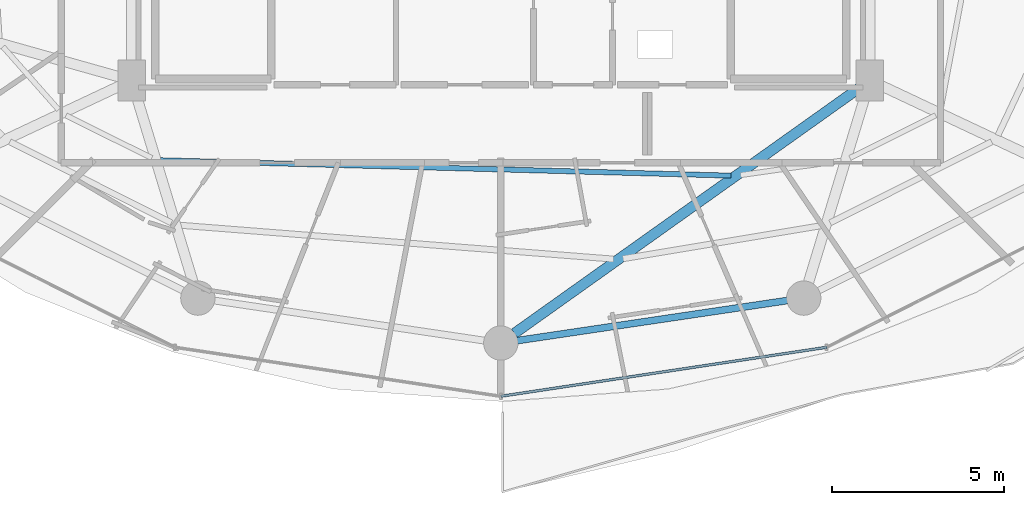
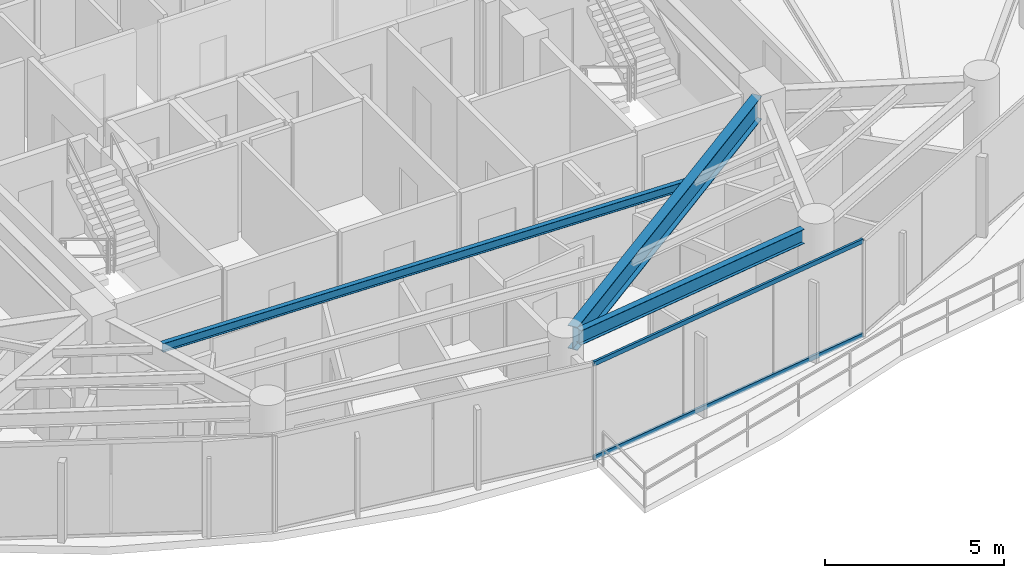
# One storey, part 7 of 31: 3 beams, 2 members, 1 element without a shape of its own.
"""IFC4 building model written with IfcOpenShell, lengths in metres."""

from ifc_helpers import new_model, si_unit, direction, frame, origin, origin_2d, place, context, subcontext, project, spatial, hollow_rectangle, i_section, extrude, material, material_profile, profile_set, type_object, element, aggregate, save


model = new_model("IFC4")

# Units and contexts
model_context = context("Model", 3, precision=1e-05, world=origin(), true_north=direction((0.0, 1.0)))
body_context = subcontext(model_context, "Body", "Model", "MODEL_VIEW")
ifc_project = project(units=[si_unit("LENGTHUNIT", "METRE"), si_unit("AREAUNIT", "SQUARE_METRE"), si_unit("VOLUMEUNIT", "CUBIC_METRE"), si_unit("PLANEANGLEUNIT", "RADIAN"), si_unit("MASSUNIT", "GRAM", prefix="KILO")], contexts=[model_context])

# Site, building, storey
site_placement = place(None, origin())
site = spatial("IfcSite", under=ifc_project, at=site_placement, CompositionType="ELEMENT")
building_placement = place(site_placement, origin())
building = spatial("IfcBuilding", under=site, at=building_placement, Name="Vorneva Point Tower", CompositionType="ELEMENT")
storey_placement = place(building_placement, frame((0.0, 0.0, 129.10009765625)))
storey = spatial("IfcBuildingStorey", under=building, at=storey_placement, Name="L34", CompositionType="ELEMENT", Elevation=129.10009765625)

# Beams
ifc_material_1 = material(Name="Steel S355", Category="steel")
ifc_material_profile_1 = material_profile(ifc_material_1, i_section(OverallWidth=0.300048828125, OverallDepth=0.7880859375, WebThickness=0.014404296875, FlangeThickness=0.02197265625, at=origin_2d()), Name="80Sh1")
ifc_profile_set_1 = profile_set([ifc_material_profile_1], Name="Steel S355")
beam_type_1 = type_object("IfcBeamType", Name="BM-GRD-80Sh1", PredefinedType="USERDEFINED", material=ifc_profile_set_1)
beam_1_placement = place(storey_placement, frame((38.397705078125, 9.0830078125, 2.845947265625), z_axis=(0.814751382529, 0.579810473057, 0.0), x_axis=(-0.579810473057, 0.814751382529, 0.0)))
element("IfcBeam", 1, at=beam_1_placement, inside=storey, type_object=beam_type_1, Name="L34 Radial Primary Girder 13", ObjectType="GIRDER", PredefinedType="USERDEFINED", context=body_context, shape_type="SweptSolid", body=[
    extrude(i_section(OverallWidth=0.300048828125, OverallDepth=0.7880859375, WebThickness=0.014404296875, FlangeThickness=0.02197265625, at=origin_2d()), origin(), (0.0, 0.0, 1.0), 12.365966796875),
])
ifc_material_profile_2 = material_profile(ifc_material_1, i_section(OverallWidth=0.14892578125, OverallDepth=0.298095703125, WebThickness=0.005615234375, FlangeThickness=0.008056640625, at=origin_2d()), Name="30B1")
ifc_profile_set_2 = profile_set([ifc_material_profile_2], Name="Steel S355")
beam_type_2 = type_object("IfcBeamType", Name="BM-JST-30B1", PredefinedType="JOIST", material=ifc_profile_set_2)
beam_2_placement = place(storey_placement, frame((28.0947265625, 14.12353515625, 3.0908203125), z_axis=(0.999636212652, -0.02697113929, 0.0), x_axis=(0.02697113929, 0.999636212652, 0.0)))
element("IfcBeam", 2, at=beam_2_placement, inside=storey, type_object=beam_type_2, Name="L34 Secondary Floor Beam 2.12", PredefinedType="JOIST", context=body_context, shape_type="SweptSolid", body=[
    extrude(i_section(OverallWidth=0.14892578125, OverallDepth=0.298095703125, WebThickness=0.005615234375, FlangeThickness=0.008056640625, at=origin_2d()), origin(), (0.0, 0.0, 1.0), 16.619384765625),
])
ifc_material_profile_3 = material_profile(ifc_material_1, i_section(OverallWidth=0.199951171875, OverallDepth=0.491943359375, WebThickness=0.0087890625, FlangeThickness=0.011962890625, at=origin_2d()), Name="50B1")
ifc_profile_set_3 = profile_set([ifc_material_profile_3], Name="Steel S355")
beam_type_3 = type_object("IfcBeamType", Name="BM-SPN-50B1", PredefinedType="SPANDREL", material=ifc_profile_set_3)
beam_3_placement = place(storey_placement, frame((38.479736328125, 8.87109375, 2.993896484375), z_axis=(0.989161199046, 0.146833655211, 0.0), x_axis=(-0.146833655211, 0.989161199046, 0.0)))
element("IfcBeam", 3, at=beam_3_placement, inside=storey, type_object=beam_type_3, Name="L34 Perimeter Spandrel Ring Beam 13", PredefinedType="SPANDREL", context=body_context, shape_type="SweptSolid", body=[
    extrude(i_section(OverallWidth=0.199951171875, OverallDepth=0.491943359375, WebThickness=0.0087890625, FlangeThickness=0.011962890625, at=origin_2d()), origin(), (0.0, 0.0, 1.0), 7.94775390625),
])

# Curtain wall, members
ifc_material_2 = material(Name="Pale anodised aluminium", Category="aluminium")
curtain_wall_type = type_object("IfcCurtainWallType", Name="CW-RES-SYS", PredefinedType="NOTDEFINED", material=ifc_material_2)
curtain_wall_placement = place(storey_placement, origin())
curtain_wall = element("IfcCurtainWall", 4, at=curtain_wall_placement, inside=storey, type_object=curtain_wall_type, Name="L34 Unitised Curtain Wall CW-L34-R04", PredefinedType="NOTDEFINED")
ifc_material_profile_4 = material_profile(ifc_material_2, hollow_rectangle(XDim=0.074951171875, YDim=0.14990234375, WallThickness=0.00390625, at=origin_2d()), Name="AL-TRN 150x75x4")
ifc_profile_set_4 = profile_set([ifc_material_profile_4], Name="Pale anodised aluminium")
member_type = type_object("IfcMemberType", Name="CW-TRN-150", PredefinedType="USERDEFINED", material=ifc_profile_set_4)
member_1_placement = place(storey_placement, frame((38.0, 7.25, 0.02001953125), z_axis=(0.988880117727, 0.148714870687, 0.0), x_axis=(-0.148714870687, 0.988880117727, 0.0)))
member_1 = element("IfcMember", 5, at=member_1_placement, type_object=member_type, Name="CW-L34-R04 Transom 03.1", ObjectType="TRANSOM", PredefinedType="USERDEFINED", context=body_context, shape_type="SweptSolid", body=[
    extrude(hollow_rectangle(XDim=0.074951171875, YDim=0.14990234375, WallThickness=0.00390625, at=origin_2d()), origin(), (0.0, 0.0, 1.0), 9.59716796875),
])
member_2_placement = place(storey_placement, frame((38.0, 7.25, 3.219970703125), z_axis=(0.988880117727, 0.148714870687, 0.0), x_axis=(-0.148714870687, 0.988880117727, 0.0)))
member_2 = element("IfcMember", 6, at=member_2_placement, type_object=member_type, Name="CW-L34-R04 Transom 03.2", ObjectType="TRANSOM", PredefinedType="USERDEFINED", context=body_context, shape_type="SweptSolid", body=[
    extrude(hollow_rectangle(XDim=0.074951171875, YDim=0.14990234375, WallThickness=0.00390625, at=origin_2d()), origin(), (0.0, 0.0, 1.0), 9.59716796875),
])
aggregate(curtain_wall, [member_1, member_2])

save(model, "model.ifc")
